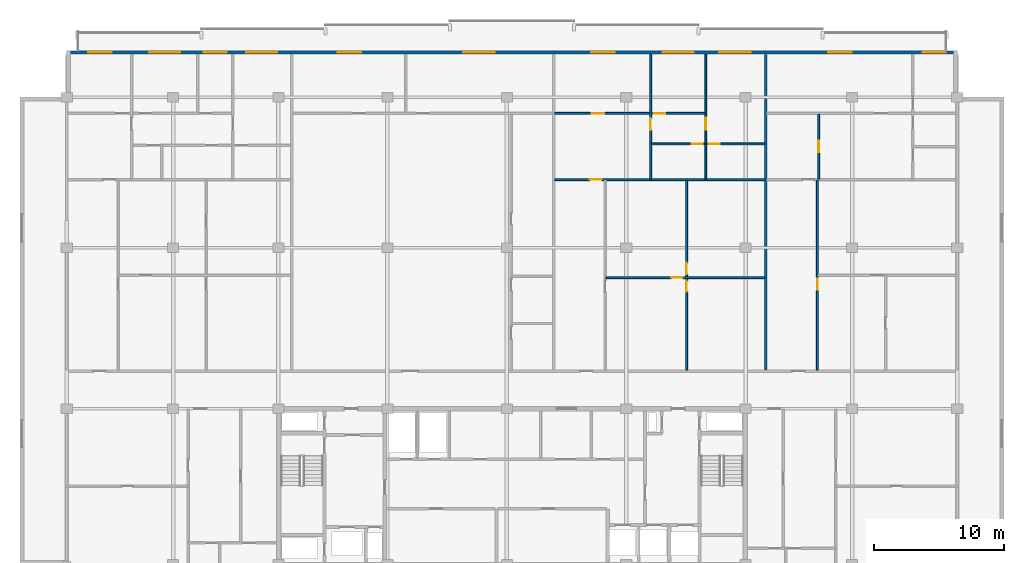
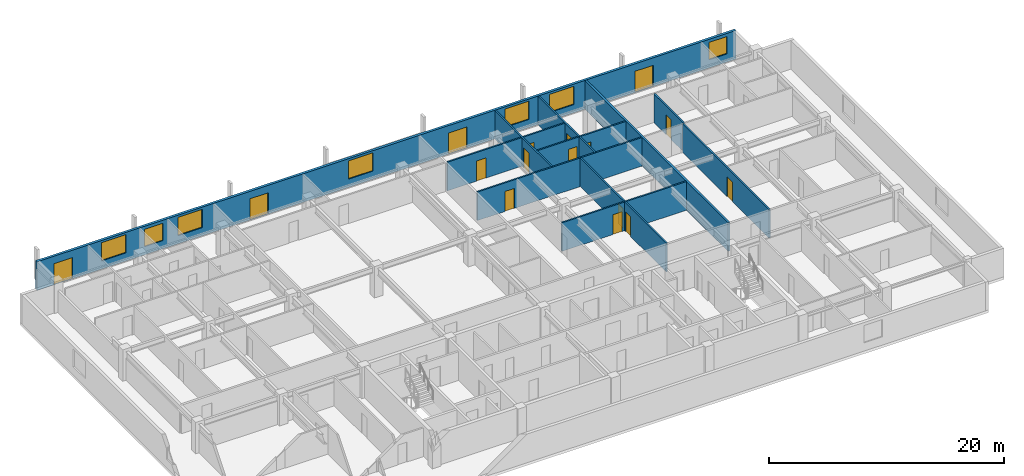
# One storey, part 8 of 11: 16 doors, 12 walls, 7 windows, 23 openings.
"""IFC4 building model written with IfcOpenShell, lengths in metres."""

from ifc_helpers import new_model, si_unit, direction, frame, frame_2d, origin, place, context, subcontext, project, spatial, rectangle, extrude, material, layer, layer_set, type_object, element, fill, save


model = new_model("IFC4")

# Units and contexts
model_context = context("Model", 3, precision=1e-05, world=origin(), true_north=direction((0.0, 1.0)))
body_context = subcontext(model_context, "Body", "Model", "MODEL_VIEW")
ifc_project = project(units=[si_unit("LENGTHUNIT", "METRE"), si_unit("AREAUNIT", "SQUARE_METRE"), si_unit("VOLUMEUNIT", "CUBIC_METRE"), si_unit("PLANEANGLEUNIT", "RADIAN"), si_unit("MASSUNIT", "GRAM", prefix="KILO")], contexts=[model_context])

# Site, building, storey
site_placement = place(None, origin())
site = spatial("IfcSite", under=ifc_project, at=site_placement, CompositionType="ELEMENT")
building_placement = place(site_placement, origin())
building = spatial("IfcBuilding", under=site, at=building_placement, Name="Korimba Cascade Residences", CompositionType="ELEMENT")
storey_placement = place(building_placement, frame((0.0, 0.0, 217.35009765625)))
storey = spatial("IfcBuildingStorey", under=building, at=storey_placement, Name="L63", CompositionType="ELEMENT", Elevation=217.35009765625)

# Wall, openings, doors, windows
ifc_material_1 = material(Name="Precast concrete C40/50", Category="concrete")
ifc_layer_1 = layer(ifc_material_1, 0.25)
ifc_layer_set_1 = layer_set([ifc_layer_1], Name="Precast concrete C40/50")
wall_type_1 = type_object("IfcWallType", Name="EW-LOG-250", PredefinedType="STANDARD", material=ifc_layer_set_1)
wall_1_placement = place(storey_placement, frame((128.39990234375, 94.64990234375, 0.0), z_axis=(0.0, 0.0, 1.0), x_axis=(-1.0, 0.0, 0.0)))
wall_1 = element("IfcWall", 1, at=wall_1_placement, inside=storey, type_object=wall_type_1, Name="L63 T1 Perimeter Stone Wall E06", PredefinedType="STANDARD", context=body_context, shape_type="SweptSolid", body=[
    extrude(rectangle(XDim=68.599853515625, YDim=0.25, at=frame_2d((34.2998046875, 0.0))), origin(), (0.0, 0.0, 1.0), 2.969970703125),
])
opening_1_placement = place(wall_1_placement, frame((59.860107421875, 0.0, 0.85009765625)))
opening_1 = element("IfcOpeningElement", 2, at=opening_1_placement, cuts=wall_1, Name="Opening W-01", PredefinedType="OPENING", context=body_context, shape_type="SweptSolid", body=[
    extrude(rectangle(XDim=2.39990234375, YDim=1.89990234375, at=frame_2d((1.199951171875, 0.949951171875))), frame((0.0, 0.135009765625, 0.0), z_axis=(0.0, -1.0, 0.0), x_axis=(1.0, 0.0, 0.0)), (0.0, 0.0, 1.0), 0.27001953125),
])
opening_2_placement = place(wall_1_placement, frame((56.26220703125, 0.0, 0.85009765625)))
opening_2 = element("IfcOpeningElement", 3, at=opening_2_placement, cuts=wall_1, Name="Opening W-02", PredefinedType="OPENING", context=body_context, shape_type="SweptSolid", body=[
    extrude(rectangle(XDim=1.800048828125, YDim=1.800048828125, at=frame_2d((0.89990234375, 0.89990234375))), frame((0.0, 0.135009765625, 0.0), z_axis=(0.0, -1.0, 0.0), x_axis=(1.0, 0.0, 0.0)), (0.0, 0.0, 1.0), 0.27001953125),
])
opening_3_placement = place(wall_1_placement, frame((65.139892578125, 0.0, 0.0)))
opening_3 = element("IfcOpeningElement", 4, at=opening_3_placement, cuts=wall_1, Name="Opening D-LG1", PredefinedType="OPENING", context=body_context, shape_type="SweptSolid", body=[
    extrude(rectangle(XDim=1.800048828125, YDim=2.199951171875, at=frame_2d((0.89990234375, 1.10009765625))), frame((0.0, 0.135009765625, 0.0), z_axis=(0.0, -1.0, 0.0), x_axis=(1.0, 0.0, 0.0)), (0.0, 0.0, 1.0), 0.27001953125),
])
opening_4_placement = place(wall_1_placement, frame((52.389404296875, 0.0, 0.85009765625)))
opening_4 = element("IfcOpeningElement", 5, at=opening_4_placement, cuts=wall_1, Name="Opening W-01", PredefinedType="OPENING", context=body_context, shape_type="SweptSolid", body=[
    extrude(rectangle(XDim=2.39990234375, YDim=1.89990234375, at=frame_2d((1.199951171875, 0.949951171875))), frame((0.0, 0.135009765625, 0.0), z_axis=(0.0, -1.0, 0.0), x_axis=(1.0, 0.0, 0.0)), (0.0, 0.0, 1.0), 0.27001953125),
])
opening_5_placement = place(wall_1_placement, frame((45.906982421875, 0.0, 0.0)))
opening_5 = element("IfcOpeningElement", 6, at=opening_5_placement, cuts=wall_1, Name="Opening D-LG1", PredefinedType="OPENING", context=body_context, shape_type="SweptSolid", body=[
    extrude(rectangle(XDim=1.800048828125, YDim=2.199951171875, at=frame_2d((0.89990234375, 1.10009765625))), frame((0.0, 0.135009765625, 0.0), z_axis=(0.0, -1.0, 0.0), x_axis=(1.0, 0.0, 0.0)), (0.0, 0.0, 1.0), 0.27001953125),
])
opening_6_placement = place(wall_1_placement, frame((35.6474609375, 0.0, 0.85009765625)))
opening_6 = element("IfcOpeningElement", 7, at=opening_6_placement, cuts=wall_1, Name="Opening W-01", PredefinedType="OPENING", context=body_context, shape_type="SweptSolid", body=[
    extrude(rectangle(XDim=2.39990234375, YDim=1.89990234375, at=frame_2d((1.199951171875, 0.949951171875))), frame((0.0, 0.135009765625, 0.0), z_axis=(0.0, -1.0, 0.0), x_axis=(1.0, 0.0, 0.0)), (0.0, 0.0, 1.0), 0.27001953125),
])
opening_7_placement = place(wall_1_placement, frame((20.297607421875, 0.0, 0.85009765625)))
opening_7 = element("IfcOpeningElement", 8, at=opening_7_placement, cuts=wall_1, Name="Opening W-01", PredefinedType="OPENING", context=body_context, shape_type="SweptSolid", body=[
    extrude(rectangle(XDim=2.39990234375, YDim=1.89990234375, at=frame_2d((1.199951171875, 0.949951171875))), frame((0.0, 0.135009765625, 0.0), z_axis=(0.0, -1.0, 0.0), x_axis=(1.0, 0.0, 0.0)), (0.0, 0.0, 1.0), 0.27001953125),
])
opening_8_placement = place(wall_1_placement, frame((26.397705078125, 0.0, 0.0)))
opening_8 = element("IfcOpeningElement", 9, at=opening_8_placement, cuts=wall_1, Name="Opening D-LG1", PredefinedType="OPENING", context=body_context, shape_type="SweptSolid", body=[
    extrude(rectangle(XDim=1.800048828125, YDim=2.199951171875, at=frame_2d((0.89990234375, 1.10009765625))), frame((0.0, 0.135009765625, 0.0), z_axis=(0.0, -1.0, 0.0), x_axis=(1.0, 0.0, 0.0)), (0.0, 0.0, 1.0), 0.27001953125),
])
opening_9_placement = place(wall_1_placement, frame((15.91943359375, 0.0, 0.85009765625)))
opening_9 = element("IfcOpeningElement", 10, at=opening_9_placement, cuts=wall_1, Name="Opening W-01", PredefinedType="OPENING", context=body_context, shape_type="SweptSolid", body=[
    extrude(rectangle(XDim=2.39990234375, YDim=1.89990234375, at=frame_2d((1.199951171875, 0.949951171875))), frame((0.0, 0.135009765625, 0.0), z_axis=(0.0, -1.0, 0.0), x_axis=(1.0, 0.0, 0.0)), (0.0, 0.0, 1.0), 0.27001953125),
])
opening_10_placement = place(wall_1_placement, frame((8.121826171875, 0.0, 0.0)))
opening_10 = element("IfcOpeningElement", 11, at=opening_10_placement, cuts=wall_1, Name="Opening D-LG1", PredefinedType="OPENING", context=body_context, shape_type="SweptSolid", body=[
    extrude(rectangle(XDim=1.800048828125, YDim=2.199951171875, at=frame_2d((0.89990234375, 1.10009765625))), frame((0.0, 0.135009765625, 0.0), z_axis=(0.0, -1.0, 0.0), x_axis=(1.0, 0.0, 0.0)), (0.0, 0.0, 1.0), 0.27001953125),
])
opening_11_placement = place(wall_1_placement, frame((0.8701171875, 0.0, 0.85009765625)))
opening_11 = element("IfcOpeningElement", 12, at=opening_11_placement, cuts=wall_1, Name="Opening W-02", PredefinedType="OPENING", context=body_context, shape_type="SweptSolid", body=[
    extrude(rectangle(XDim=1.800048828125, YDim=1.800048828125, at=frame_2d((0.89990234375, 0.89990234375))), frame((0.0, 0.135009765625, 0.0), z_axis=(0.0, -1.0, 0.0), x_axis=(1.0, 0.0, 0.0)), (0.0, 0.0, 1.0), 0.27001953125),
])
ifc_material_2 = material(Name="Glazed Aluminium Loggia Sliding Door", Category="aluminium")
door_type_1 = type_object("IfcDoorType", Name="DR-EXT-LOG", OperationType="NOTDEFINED", PredefinedType="DOOR", material=ifc_material_2)
door_1_placement = place(opening_3_placement, origin())
door_1 = element("IfcDoor", 13, at=door_1_placement, inside=storey, type_object=door_type_1, Name="L63 T1 Loggia Sliding Door 5", OperationType="SLIDING_TO_LEFT", OverallHeight=2.199951171875, OverallWidth=1.800048828125, PredefinedType="DOOR", context=body_context, shape_type="SweptSolid", body=[
    extrude(rectangle(XDim=1.800048828125, YDim=2.199951171875, at=frame_2d((0.89990234375, 1.10009765625))), frame((0.0, 0.02490234375, 0.0), z_axis=(0.0, -1.0, 0.0), x_axis=(1.0, 0.0, 0.0)), (0.0, 0.0, 1.0), 0.050048828125),
])
fill(opening_3, door_1)
door_2_placement = place(opening_5_placement, origin())
door_2 = element("IfcDoor", 14, at=door_2_placement, inside=storey, type_object=door_type_1, Name="L63 T1 Loggia Sliding Door 7", OperationType="SLIDING_TO_LEFT", OverallHeight=2.199951171875, OverallWidth=1.800048828125, PredefinedType="DOOR", context=body_context, shape_type="SweptSolid", body=[
    extrude(rectangle(XDim=1.800048828125, YDim=2.199951171875, at=frame_2d((0.89990234375, 1.10009765625))), frame((0.0, 0.02490234375, 0.0), z_axis=(0.0, -1.0, 0.0), x_axis=(1.0, 0.0, 0.0)), (0.0, 0.0, 1.0), 0.050048828125),
])
fill(opening_5, door_2)
door_3_placement = place(opening_8_placement, origin())
door_3 = element("IfcDoor", 15, at=door_3_placement, inside=storey, type_object=door_type_1, Name="L63 T1 Loggia Sliding Door 10", OperationType="SLIDING_TO_LEFT", OverallHeight=2.199951171875, OverallWidth=1.800048828125, PredefinedType="DOOR", context=body_context, shape_type="SweptSolid", body=[
    extrude(rectangle(XDim=1.800048828125, YDim=2.199951171875, at=frame_2d((0.89990234375, 1.10009765625))), frame((0.0, 0.02490234375, 0.0), z_axis=(0.0, -1.0, 0.0), x_axis=(1.0, 0.0, 0.0)), (0.0, 0.0, 1.0), 0.050048828125),
])
fill(opening_8, door_3)
door_4_placement = place(opening_10_placement, origin())
door_4 = element("IfcDoor", 16, at=door_4_placement, inside=storey, type_object=door_type_1, Name="L63 T1 Loggia Sliding Door 12", OperationType="SLIDING_TO_LEFT", OverallHeight=2.199951171875, OverallWidth=1.800048828125, PredefinedType="DOOR", context=body_context, shape_type="SweptSolid", body=[
    extrude(rectangle(XDim=1.800048828125, YDim=2.199951171875, at=frame_2d((0.89990234375, 1.10009765625))), frame((0.0, 0.02490234375, 0.0), z_axis=(0.0, -1.0, 0.0), x_axis=(1.0, 0.0, 0.0)), (0.0, 0.0, 1.0), 0.050048828125),
])
fill(opening_10, door_4)
ifc_material_3 = material(Name="Double-Glazed Aluminium Window", Category="aluminium")
window_type_1 = type_object("IfcWindowType", Name="WIN-BED-1800", PartitioningType="SINGLE_PANEL", PredefinedType="WINDOW", material=ifc_material_3)
window_1_placement = place(opening_2_placement, origin())
window_1 = element("IfcWindow", 17, at=window_1_placement, inside=storey, type_object=window_type_1, Name="L63 T1 North Facade Window 4", OverallHeight=1.800048828125, OverallWidth=1.800048828125, PartitioningType="SINGLE_PANEL", PredefinedType="WINDOW", context=body_context, shape_type="SweptSolid", body=[
    extrude(rectangle(XDim=1.800048828125, YDim=1.800048828125, at=frame_2d((0.89990234375, 0.89990234375))), frame((0.0, 0.030029296875, 0.0), z_axis=(0.0, -1.0, 0.0), x_axis=(1.0, 0.0, 0.0)), (0.0, 0.0, 1.0), 0.06005859375),
])
fill(opening_2, window_1)
window_2_placement = place(opening_11_placement, origin())
window_2 = element("IfcWindow", 18, at=window_2_placement, inside=storey, type_object=window_type_1, Name="L63 T1 North Facade Window 13", OverallHeight=1.800048828125, OverallWidth=1.800048828125, PartitioningType="SINGLE_PANEL", PredefinedType="WINDOW", context=body_context, shape_type="SweptSolid", body=[
    extrude(rectangle(XDim=1.800048828125, YDim=1.800048828125, at=frame_2d((0.89990234375, 0.89990234375))), frame((0.0, 0.030029296875, 0.0), z_axis=(0.0, -1.0, 0.0), x_axis=(1.0, 0.0, 0.0)), (0.0, 0.0, 1.0), 0.06005859375),
])
fill(opening_11, window_2)
window_type_2 = type_object("IfcWindowType", Name="WIN-RES-2400", PartitioningType="DOUBLE_PANEL_VERTICAL", PredefinedType="WINDOW", material=ifc_material_3)
window_3_placement = place(opening_1_placement, origin())
window_3 = element("IfcWindow", 19, at=window_3_placement, inside=storey, type_object=window_type_2, Name="L63 T1 North Facade Window 3", OverallHeight=1.89990234375, OverallWidth=2.39990234375, PartitioningType="DOUBLE_PANEL_VERTICAL", PredefinedType="WINDOW", context=body_context, shape_type="SweptSolid", body=[
    extrude(rectangle(XDim=2.39990234375, YDim=1.89990234375, at=frame_2d((1.199951171875, 0.949951171875))), frame((0.0, 0.030029296875, 0.0), z_axis=(0.0, -1.0, 0.0), x_axis=(1.0, 0.0, 0.0)), (0.0, 0.0, 1.0), 0.06005859375),
])
fill(opening_1, window_3)
window_4_placement = place(opening_4_placement, origin())
window_4 = element("IfcWindow", 20, at=window_4_placement, inside=storey, type_object=window_type_2, Name="L63 T1 North Facade Window 6", OverallHeight=1.89990234375, OverallWidth=2.39990234375, PartitioningType="DOUBLE_PANEL_VERTICAL", PredefinedType="WINDOW", context=body_context, shape_type="SweptSolid", body=[
    extrude(rectangle(XDim=2.39990234375, YDim=1.89990234375, at=frame_2d((1.199951171875, 0.949951171875))), frame((0.0, 0.030029296875, 0.0), z_axis=(0.0, -1.0, 0.0), x_axis=(1.0, 0.0, 0.0)), (0.0, 0.0, 1.0), 0.06005859375),
])
fill(opening_4, window_4)
window_5_placement = place(opening_6_placement, origin())
window_5 = element("IfcWindow", 21, at=window_5_placement, inside=storey, type_object=window_type_2, Name="L63 T1 North Facade Window 8", OverallHeight=1.89990234375, OverallWidth=2.39990234375, PartitioningType="DOUBLE_PANEL_VERTICAL", PredefinedType="WINDOW", context=body_context, shape_type="SweptSolid", body=[
    extrude(rectangle(XDim=2.39990234375, YDim=1.89990234375, at=frame_2d((1.199951171875, 0.949951171875))), frame((0.0, 0.030029296875, 0.0), z_axis=(0.0, -1.0, 0.0), x_axis=(1.0, 0.0, 0.0)), (0.0, 0.0, 1.0), 0.06005859375),
])
fill(opening_6, window_5)
window_6_placement = place(opening_7_placement, origin())
window_6 = element("IfcWindow", 22, at=window_6_placement, inside=storey, type_object=window_type_2, Name="L63 T1 North Facade Window 9", OverallHeight=1.89990234375, OverallWidth=2.39990234375, PartitioningType="DOUBLE_PANEL_VERTICAL", PredefinedType="WINDOW", context=body_context, shape_type="SweptSolid", body=[
    extrude(rectangle(XDim=2.39990234375, YDim=1.89990234375, at=frame_2d((1.199951171875, 0.949951171875))), frame((0.0, 0.030029296875, 0.0), z_axis=(0.0, -1.0, 0.0), x_axis=(1.0, 0.0, 0.0)), (0.0, 0.0, 1.0), 0.06005859375),
])
fill(opening_7, window_6)
window_7_placement = place(opening_9_placement, origin())
window_7 = element("IfcWindow", 23, at=window_7_placement, inside=storey, type_object=window_type_2, Name="L63 T1 North Facade Window 11", OverallHeight=1.89990234375, OverallWidth=2.39990234375, PartitioningType="DOUBLE_PANEL_VERTICAL", PredefinedType="WINDOW", context=body_context, shape_type="SweptSolid", body=[
    extrude(rectangle(XDim=2.39990234375, YDim=1.89990234375, at=frame_2d((1.199951171875, 0.949951171875))), frame((0.0, 0.030029296875, 0.0), z_axis=(0.0, -1.0, 0.0), x_axis=(1.0, 0.0, 0.0)), (0.0, 0.0, 1.0), 0.06005859375),
])
fill(opening_9, window_7)

# Wall
ifc_layer_2 = layer(ifc_material_1, 0.199951171875)
ifc_layer_set_2 = layer_set([ifc_layer_2], Name="Precast concrete C40/50")
wall_type_2 = type_object("IfcWallType", Name="WAL-IT-200", PredefinedType="PARTITIONING", material=ifc_layer_set_2)
wall_2_placement = place(storey_placement, frame((113.65625, 70.179931640625, 0.0), z_axis=(0.0, 0.0, 1.0), x_axis=(0.0, 1.0, 0.0)))
element("IfcWall", 24, at=wall_2_placement, inside=storey, type_object=wall_type_2, Name="L63 Partition Wall WAL-L63-T1-DEM-3", PredefinedType="PARTITIONING", context=body_context, shape_type="SweptSolid", body=[
    extrude(rectangle(XDim=24.320068359375, YDim=0.199951171875, at=frame_2d((12.16015625, 0.0))), origin(), (0.0, 0.0, 1.0), 2.969970703125),
])

# Wall, openings, doors
ifc_material_4 = material(Name="Insulated Acoustic Stud Partition", Category="gypsum")
ifc_layer_3 = layer(ifc_material_4, 0.14990234375)
ifc_layer_set_3 = layer_set([ifc_layer_3], Name="Insulated Acoustic Stud Partition")
wall_type_3 = type_object("IfcWallType", Name="WAL-PART-150", PredefinedType="PARTITIONING", material=ifc_layer_set_3)
wall_3_placement = place(storey_placement, frame((107.555419921875, 70.159912109375, 0.0), z_axis=(0.0, 0.0, 1.0), x_axis=(0.0, 1.0, 0.0)))
wall_3 = element("IfcWall", 25, at=wall_3_placement, inside=storey, type_object=wall_type_3, Name="L63 Partition Wall WAL-L63-T1-U03-FMV", PredefinedType="PARTITIONING", context=body_context, shape_type="SweptSolid", body=[
    extrude(rectangle(XDim=14.650146484375, YDim=0.14990234375, at=frame_2d((7.3251953125, 0.0))), origin(), (0.0, 0.0, 1.0), 2.969970703125),
])
opening_12_placement = place(wall_3_placement, frame((6.054931640625, 0.0, 0.0)))
opening_12 = element("IfcOpeningElement", 26, at=opening_12_placement, cuts=wall_3, Name="Opening D-BT1", PredefinedType="OPENING", context=body_context, shape_type="SweptSolid", body=[
    extrude(rectangle(XDim=0.840087890625, YDim=2.0400390625, at=frame_2d((0.419921875, 1.02001953125))), frame((0.0, 0.0849609375, 0.0), z_axis=(0.0, -1.0, 0.0), x_axis=(1.0, 0.0, 0.0)), (0.0, 0.0, 1.0), 0.169921875),
])
opening_13_placement = place(wall_3_placement, frame((7.39501953125, 0.0, 0.0)))
opening_13 = element("IfcOpeningElement", 27, at=opening_13_placement, cuts=wall_3, Name="Opening D-IN2", PredefinedType="OPENING", context=body_context, shape_type="SweptSolid", body=[
    extrude(rectangle(XDim=0.8798828125, YDim=2.06005859375, at=frame_2d((0.43994140625, 1.030029296875))), frame((0.0, 0.0849609375, 0.0), z_axis=(0.0, -1.0, 0.0), x_axis=(1.0, 0.0, 0.0)), (0.0, 0.0, 1.0), 0.169921875),
])
ifc_material_5 = material(Name="Moisture-Resistant Bathroom Timber Door", Category="wood")
door_type_2 = type_object("IfcDoorType", Name="DR-INT-850", OperationType="NOTDEFINED", PredefinedType="DOOR", material=ifc_material_5)
door_5_placement = place(opening_12_placement, origin())
door_5 = element("IfcDoor", 28, at=door_5_placement, inside=storey, type_object=door_type_2, Name="L63-T1-U03 Wardrobe Door", OperationType="SINGLE_SWING_RIGHT", OverallHeight=2.0400390625, OverallWidth=0.840087890625, PredefinedType="DOOR", context=body_context, shape_type="SweptSolid", body=[
    extrude(rectangle(XDim=0.840087890625, YDim=2.0400390625, at=frame_2d((0.419921875, 1.02001953125))), frame((0.0, 0.02490234375, 0.0), z_axis=(0.0, -1.0, 0.0), x_axis=(1.0, 0.0, 0.0)), (0.0, 0.0, 1.0), 0.050048828125),
])
fill(opening_12, door_5)
ifc_material_6 = material(Name="Acoustic Timber Bedroom Door", Category="wood")
door_type_3 = type_object("IfcDoorType", Name="DR-INT-880", OperationType="NOTDEFINED", PredefinedType="DOOR", material=ifc_material_6)
door_6_placement = place(opening_13_placement, origin())
door_6 = element("IfcDoor", 29, at=door_6_placement, inside=storey, type_object=door_type_3, Name="L63-T1-U03 Music Lounge Door", OperationType="SINGLE_SWING_LEFT", OverallHeight=2.06005859375, OverallWidth=0.8798828125, PredefinedType="DOOR", context=body_context, shape_type="SweptSolid", body=[
    extrude(rectangle(XDim=0.8798828125, YDim=2.06005859375, at=frame_2d((0.43994140625, 1.030029296875))), frame((0.0, 0.02490234375, 0.0), z_axis=(0.0, -1.0, 0.0), x_axis=(1.0, 0.0, 0.0)), (0.0, 0.0, 1.0), 0.050048828125),
])
fill(opening_13, door_6)

# Wall, opening, door
wall_4_placement = place(storey_placement, frame((101.334716796875, 77.304931640625, 0.0), z_axis=(0.0, 0.0, 1.0), x_axis=(1.0, 0.0, 0.0)))
wall_4 = element("IfcWall", 30, at=wall_4_placement, inside=storey, type_object=wall_type_3, Name="L63 Partition Wall WAL-L63-T1-U03-FMH", PredefinedType="PARTITIONING", context=body_context, shape_type="SweptSolid", body=[
    extrude(rectangle(XDim=12.241455078125, YDim=0.14990234375, at=frame_2d((6.12060546875, 0.0))), origin(), (0.0, 0.0, 1.0), 2.969970703125),
])
opening_14_placement = place(wall_4_placement, frame((5.025390625, 0.0, 0.0)))
opening_14 = element("IfcOpeningElement", 31, at=opening_14_placement, cuts=wall_4, Name="Opening D-IN2", PredefinedType="OPENING", context=body_context, shape_type="SweptSolid", body=[
    extrude(rectangle(XDim=0.8798828125, YDim=2.06005859375, at=frame_2d((0.43994140625, 1.030029296875))), frame((0.0, 0.0849609375, 0.0), z_axis=(0.0, -1.0, 0.0), x_axis=(1.0, 0.0, 0.0)), (0.0, 0.0, 1.0), 0.169921875),
])
door_7_placement = place(opening_14_placement, origin())
door_7 = element("IfcDoor", 32, at=door_7_placement, inside=storey, type_object=door_type_3, Name="L63-T1-U03 Library Salon Door", OperationType="SINGLE_SWING_RIGHT", OverallHeight=2.06005859375, OverallWidth=0.8798828125, PredefinedType="DOOR", context=body_context, shape_type="SweptSolid", body=[
    extrude(rectangle(XDim=0.8798828125, YDim=2.06005859375, at=frame_2d((0.43994140625, 1.030029296875))), frame((0.0, 0.02490234375, 0.0), z_axis=(0.0, -1.0, 0.0), x_axis=(1.0, 0.0, 0.0)), (0.0, 0.0, 1.0), 0.050048828125),
])
fill(opening_14, door_7)

wall_5_placement = place(storey_placement, frame((104.780029296875, 84.889892578125, 0.0), z_axis=(0.0, 0.0, 1.0), x_axis=(0.0, 1.0, 0.0)))
wall_5 = element("IfcWall", 33, at=wall_5_placement, inside=storey, type_object=wall_type_3, Name="L63 Partition Wall WAL-L63-T1-U03-V1", PredefinedType="PARTITIONING", context=body_context, shape_type="SweptSolid", body=[
    extrude(rectangle(XDim=9.610107421875, YDim=0.14990234375, at=frame_2d((4.80517578125, 0.0))), origin(), (0.0, 0.0, 1.0), 2.969970703125),
])
opening_15_placement = place(wall_5_placement, frame((3.770263671875, 0.0, 0.0)))
opening_15 = element("IfcOpeningElement", 34, at=opening_15_placement, cuts=wall_5, Name="Opening D-IN1", PredefinedType="OPENING", context=body_context, shape_type="SweptSolid", body=[
    extrude(rectangle(XDim=0.919921875, YDim=2.080078125, at=frame_2d((0.4599609375, 1.0400390625))), frame((0.0, 0.0849609375, 0.0), z_axis=(0.0, -1.0, 0.0), x_axis=(1.0, 0.0, 0.0)), (0.0, 0.0, 1.0), 0.169921875),
])
ifc_material_7 = material(Name="Acoustic Timber Living Door", Category="wood")
door_type_4 = type_object("IfcDoorType", Name="DR-INT-920", OperationType="NOTDEFINED", PredefinedType="DOOR", material=ifc_material_7)
door_8_placement = place(opening_15_placement, origin())
door_8 = element("IfcDoor", 35, at=door_8_placement, inside=storey, type_object=door_type_4, Name="L63-T1-U03 Hallway Door", OperationType="SINGLE_SWING_RIGHT", OverallHeight=2.080078125, OverallWidth=0.919921875, PredefinedType="DOOR", context=body_context, shape_type="SweptSolid", body=[
    extrude(rectangle(XDim=0.919921875, YDim=2.080078125, at=frame_2d((0.4599609375, 1.0400390625))), frame((0.0, 0.02490234375, 0.0), z_axis=(0.0, -1.0, 0.0), x_axis=(1.0, 0.0, 0.0)), (0.0, 0.0, 1.0), 0.050048828125),
])
fill(opening_15, door_8)

# Wall
wall_6_placement = place(storey_placement, frame((109.02490234375, 84.889892578125, 0.0), z_axis=(0.0, 0.0, 1.0), x_axis=(0.0, 1.0, 0.0)))
element("IfcWall", 36, at=wall_6_placement, inside=storey, type_object=wall_type_3, Name="L63 Partition Wall WAL-L63-T1-U03-VBATH", PredefinedType="PARTITIONING", context=body_context, shape_type="SweptSolid", body=[
    extrude(rectangle(XDim=2.690185546875, YDim=0.14990234375, at=frame_2d((1.34521484375, 0.0))), origin(), (0.0, 0.0, 1.0), 2.969970703125),
])

# Wall, opening, door
wall_7_placement = place(storey_placement, frame((109.02490234375, 87.6201171875, 0.0), z_axis=(0.0, 0.0, 1.0), x_axis=(0.0, 1.0, 0.0)))
wall_7 = element("IfcWall", 37, at=wall_7_placement, inside=storey, type_object=wall_type_3, Name="L63 Partition Wall WAL-L63-T1-U03-V2FULL", PredefinedType="PARTITIONING", context=body_context, shape_type="SweptSolid", body=[
    extrude(rectangle(XDim=6.8798828125, YDim=0.14990234375, at=frame_2d((3.43994140625, 0.0))), origin(), (0.0, 0.0, 1.0), 2.969970703125),
])
opening_16_placement = place(wall_7_placement, frame((1.090087890625, 0.0, 0.0)))
opening_16 = element("IfcOpeningElement", 38, at=opening_16_placement, cuts=wall_7, Name="Opening D-IN1", PredefinedType="OPENING", context=body_context, shape_type="SweptSolid", body=[
    extrude(rectangle(XDim=0.919921875, YDim=2.080078125, at=frame_2d((0.4599609375, 1.0400390625))), frame((0.0, 0.0849609375, 0.0), z_axis=(0.0, -1.0, 0.0), x_axis=(1.0, 0.0, 0.0)), (0.0, 0.0, 1.0), 0.169921875),
])
door_9_placement = place(opening_16_placement, origin())
door_9 = element("IfcDoor", 39, at=door_9_placement, inside=storey, type_object=door_type_4, Name="L63-T1-U03 Master Bedroom Door", OperationType="SINGLE_SWING_LEFT", OverallHeight=2.080078125, OverallWidth=0.919921875, PredefinedType="DOOR", context=body_context, shape_type="SweptSolid", body=[
    extrude(rectangle(XDim=0.919921875, YDim=2.080078125, at=frame_2d((0.4599609375, 1.0400390625))), frame((0.0, 0.02490234375, 0.0), z_axis=(0.0, -1.0, 0.0), x_axis=(1.0, 0.0, 0.0)), (0.0, 0.0, 1.0), 0.050048828125),
])
fill(opening_16, door_9)

# Wall, openings, doors
wall_8_placement = place(storey_placement, frame((104.820068359375, 87.60009765625, 0.0), z_axis=(0.0, 0.0, 1.0), x_axis=(1.0, 0.0, 0.0)))
wall_8 = element("IfcWall", 40, at=wall_8_placement, inside=storey, type_object=wall_type_3, Name="L63 Partition Wall WAL-L63-T1-U03-HWALL", PredefinedType="PARTITIONING", context=body_context, shape_type="SweptSolid", body=[
    extrude(rectangle(XDim=8.756103515625, YDim=0.14990234375, at=frame_2d((4.3779296875, 0.0))), origin(), (0.0, 0.0, 1.0), 2.969970703125),
])
opening_17_placement = place(wall_8_placement, frame((3.114990234375, 0.0, 0.0)))
opening_17 = element("IfcOpeningElement", 41, at=opening_17_placement, cuts=wall_8, Name="Opening D-BT1", PredefinedType="OPENING", context=body_context, shape_type="SweptSolid", body=[
    extrude(rectangle(XDim=0.840087890625, YDim=2.0400390625, at=frame_2d((0.419921875, 1.02001953125))), frame((0.0, 0.0849609375, 0.0), z_axis=(0.0, -1.0, 0.0), x_axis=(1.0, 0.0, 0.0)), (0.0, 0.0, 1.0), 0.169921875),
])
opening_18_placement = place(wall_8_placement, frame((4.455078125, 0.0, 0.0)))
opening_18 = element("IfcOpeningElement", 42, at=opening_18_placement, cuts=wall_8, Name="Opening D-BT1", PredefinedType="OPENING", context=body_context, shape_type="SweptSolid", body=[
    extrude(rectangle(XDim=0.840087890625, YDim=2.0400390625, at=frame_2d((0.419921875, 1.02001953125))), frame((0.0, 0.0849609375, 0.0), z_axis=(0.0, -1.0, 0.0), x_axis=(1.0, 0.0, 0.0)), (0.0, 0.0, 1.0), 0.169921875),
])
door_10_placement = place(opening_17_placement, origin())
door_10 = element("IfcDoor", 43, at=door_10_placement, inside=storey, type_object=door_type_2, Name="L63-T1-U03 Family Bathroom Door", OperationType="SINGLE_SWING_RIGHT", OverallHeight=2.0400390625, OverallWidth=0.840087890625, PredefinedType="DOOR", context=body_context, shape_type="SweptSolid", body=[
    extrude(rectangle(XDim=0.840087890625, YDim=2.0400390625, at=frame_2d((0.419921875, 1.02001953125))), frame((0.0, 0.02490234375, 0.0), z_axis=(0.0, -1.0, 0.0), x_axis=(1.0, 0.0, 0.0)), (0.0, 0.0, 1.0), 0.050048828125),
])
fill(opening_17, door_10)
door_11_placement = place(opening_18_placement, origin())
door_11 = element("IfcDoor", 44, at=door_11_placement, inside=storey, type_object=door_type_2, Name="L63-T1-U03 En-Suite Door", OperationType="SINGLE_SWING_LEFT", OverallHeight=2.0400390625, OverallWidth=0.840087890625, PredefinedType="DOOR", context=body_context, shape_type="SweptSolid", body=[
    extrude(rectangle(XDim=0.840087890625, YDim=2.0400390625, at=frame_2d((0.419921875, 1.02001953125))), frame((0.0, 0.02490234375, 0.0), z_axis=(0.0, -1.0, 0.0), x_axis=(1.0, 0.0, 0.0)), (0.0, 0.0, 1.0), 0.050048828125),
])
fill(opening_18, door_11)

# Wall, opening, door
wall_9_placement = place(storey_placement, frame((97.384765625, 84.85009765625, 0.0), z_axis=(0.0, 0.0, 1.0), x_axis=(1.0, 0.0, 0.0)))
wall_9 = element("IfcWall", 45, at=wall_9_placement, inside=storey, type_object=wall_type_3, Name="L63 Partition Wall WAL-L63-T1-U03-MW", PredefinedType="PARTITIONING", context=body_context, shape_type="SweptSolid", body=[
    extrude(rectangle(XDim=16.19140625, YDim=0.14990234375, at=frame_2d((8.095703125, 0.0))), origin(), (0.0, 0.0, 1.0), 2.969970703125),
])
opening_19_placement = place(wall_9_placement, frame((2.719970703125, 0.0, 0.0)))
opening_19 = element("IfcOpeningElement", 46, at=opening_19_placement, cuts=wall_9, Name="Opening D-IN1", PredefinedType="OPENING", context=body_context, shape_type="SweptSolid", body=[
    extrude(rectangle(XDim=0.919921875, YDim=2.080078125, at=frame_2d((0.4599609375, 1.0400390625))), frame((0.0, 0.0849609375, 0.0), z_axis=(0.0, -1.0, 0.0), x_axis=(1.0, 0.0, 0.0)), (0.0, 0.0, 1.0), 0.169921875),
])
door_12_placement = place(opening_19_placement, origin())
door_12 = element("IfcDoor", 47, at=door_12_placement, inside=storey, type_object=door_type_4, Name="L63-T1-U03 Kitchen Door", OperationType="SINGLE_SWING_RIGHT", OverallHeight=2.080078125, OverallWidth=0.919921875, PredefinedType="DOOR", context=body_context, shape_type="SweptSolid", body=[
    extrude(rectangle(XDim=0.919921875, YDim=2.080078125, at=frame_2d((0.4599609375, 1.0400390625))), frame((0.0, 0.02490234375, 0.0), z_axis=(0.0, -1.0, 0.0), x_axis=(1.0, 0.0, 0.0)), (0.0, 0.0, 1.0), 0.050048828125),
])
fill(opening_19, door_12)

# Wall, openings, doors
wall_10_placement = place(storey_placement, frame((97.384765625, 89.949951171875, 0.0), z_axis=(0.0, 0.0, 1.0), x_axis=(1.0, 0.0, 0.0)))
wall_10 = element("IfcWall", 48, at=wall_10_placement, inside=storey, type_object=wall_type_3, Name="L63 Partition Wall WAL-L63-T1-U03-HZ", PredefinedType="PARTITIONING", context=body_context, shape_type="SweptSolid", body=[
    extrude(rectangle(XDim=11.64013671875, YDim=0.14990234375, at=frame_2d((5.820068359375, 0.0))), origin(), (0.0, 0.0, 1.0), 2.969970703125),
])
opening_20_placement = place(wall_10_placement, frame((2.870361328125, 0.0, 0.0)))
opening_20 = element("IfcOpeningElement", 49, at=opening_20_placement, cuts=wall_10, Name="Opening D-IN0", PredefinedType="OPENING", context=body_context, shape_type="SweptSolid", body=[
    extrude(rectangle(XDim=0.93994140625, YDim=2.10009765625, at=frame_2d((0.469970703125, 1.050048828125))), frame((0.0, 0.0849609375, 0.0), z_axis=(0.0, -1.0, 0.0), x_axis=(1.0, 0.0, 0.0)), (0.0, 0.0, 1.0), 0.169921875),
])
opening_21_placement = place(wall_10_placement, frame((7.645263671875, 0.0, 0.0)))
opening_21 = element("IfcOpeningElement", 50, at=opening_21_placement, cuts=wall_10, Name="Opening D-IN2", PredefinedType="OPENING", context=body_context, shape_type="SweptSolid", body=[
    extrude(rectangle(XDim=0.8798828125, YDim=2.06005859375, at=frame_2d((0.43994140625, 1.030029296875))), frame((0.0, 0.0849609375, 0.0), z_axis=(0.0, -1.0, 0.0), x_axis=(1.0, 0.0, 0.0)), (0.0, 0.0, 1.0), 0.169921875),
])
door_13_placement = place(opening_21_placement, origin())
door_13 = element("IfcDoor", 51, at=door_13_placement, inside=storey, type_object=door_type_3, Name="L63-T1-U03 Bedroom 2 Door", OperationType="SINGLE_SWING_RIGHT", OverallHeight=2.06005859375, OverallWidth=0.8798828125, PredefinedType="DOOR", context=body_context, shape_type="SweptSolid", body=[
    extrude(rectangle(XDim=0.8798828125, YDim=2.06005859375, at=frame_2d((0.43994140625, 1.030029296875))), frame((0.0, 0.02490234375, 0.0), z_axis=(0.0, -1.0, 0.0), x_axis=(1.0, 0.0, 0.0)), (0.0, 0.0, 1.0), 0.050048828125),
])
fill(opening_21, door_13)
ifc_material_8 = material(Name="Acoustic Timber Living Archway Door", Category="wood")
door_type_5 = type_object("IfcDoorType", Name="DR-INT-950", OperationType="NOTDEFINED", PredefinedType="DOOR", material=ifc_material_8)
door_14_placement = place(opening_20_placement, origin())
door_14 = element("IfcDoor", 52, at=door_14_placement, inside=storey, type_object=door_type_5, Name="L63-T1-U03 Living Room Door", OperationType="SINGLE_SWING_LEFT", OverallHeight=2.10009765625, OverallWidth=0.93994140625, PredefinedType="DOOR", context=body_context, shape_type="SweptSolid", body=[
    extrude(rectangle(XDim=0.93994140625, YDim=2.10009765625, at=frame_2d((0.469970703125, 1.050048828125))), frame((0.0, 0.02490234375, 0.0), z_axis=(0.0, -1.0, 0.0), x_axis=(1.0, 0.0, 0.0)), (0.0, 0.0, 1.0), 0.050048828125),
])
fill(opening_20, door_14)

# Wall, opening, door
wall_11_placement = place(storey_placement, frame((117.626220703125, 70.159912109375, 0.0), z_axis=(0.0, 0.0, 1.0), x_axis=(0.0, 1.0, 0.0)))
wall_11 = element("IfcWall", 53, at=wall_11_placement, inside=storey, type_object=wall_type_3, Name="L63 Partition Wall WAL-L63-T1-U04-FV", PredefinedType="PARTITIONING", context=body_context, shape_type="SweptSolid", body=[
    extrude(rectangle(XDim=14.650146484375, YDim=0.14990234375, at=frame_2d((7.3251953125, 0.0))), origin(), (0.0, 0.0, 1.0), 2.969970703125),
])
opening_22_placement = place(wall_11_placement, frame((6.195068359375, 0.0, 0.0)))
opening_22 = element("IfcOpeningElement", 54, at=opening_22_placement, cuts=wall_11, Name="Opening D-IN2", PredefinedType="OPENING", context=body_context, shape_type="SweptSolid", body=[
    extrude(rectangle(XDim=0.8798828125, YDim=2.06005859375, at=frame_2d((0.43994140625, 1.030029296875))), frame((0.0, 0.0849609375, 0.0), z_axis=(0.0, -1.0, 0.0), x_axis=(1.0, 0.0, 0.0)), (0.0, 0.0, 1.0), 0.169921875),
])
door_15_placement = place(opening_22_placement, origin())
door_15 = element("IfcDoor", 55, at=door_15_placement, inside=storey, type_object=door_type_3, Name="L63-T1-U04 Media Lounge Door", OperationType="SINGLE_SWING_LEFT", OverallHeight=2.06005859375, OverallWidth=0.8798828125, PredefinedType="DOOR", context=body_context, shape_type="SweptSolid", body=[
    extrude(rectangle(XDim=0.8798828125, YDim=2.06005859375, at=frame_2d((0.43994140625, 1.030029296875))), frame((0.0, 0.02490234375, 0.0), z_axis=(0.0, -1.0, 0.0), x_axis=(1.0, 0.0, 0.0)), (0.0, 0.0, 1.0), 0.050048828125),
])
fill(opening_22, door_15)

wall_12_placement = place(storey_placement, frame((117.726318359375, 84.889892578125, 0.0), z_axis=(0.0, 0.0, 1.0), x_axis=(0.0, 1.0, 0.0)))
wall_12 = element("IfcWall", 56, at=wall_12_placement, inside=storey, type_object=wall_type_3, Name="L63 Partition Wall WAL-L63-T1-U04-VDIN", PredefinedType="PARTITIONING", context=body_context, shape_type="SweptSolid", body=[
    extrude(rectangle(XDim=5.0, YDim=0.14990234375, at=frame_2d((2.5, 0.0))), origin(), (0.0, 0.0, 1.0), 2.969970703125),
])
opening_23_placement = place(wall_12_placement, frame((2.06005859375, 0.0, 0.0)))
opening_23 = element("IfcOpeningElement", 57, at=opening_23_placement, cuts=wall_12, Name="Opening D-IN2", PredefinedType="OPENING", context=body_context, shape_type="SweptSolid", body=[
    extrude(rectangle(XDim=0.8798828125, YDim=2.06005859375, at=frame_2d((0.43994140625, 1.030029296875))), frame((0.0, 0.0849609375, 0.0), z_axis=(0.0, -1.0, 0.0), x_axis=(1.0, 0.0, 0.0)), (0.0, 0.0, 1.0), 0.169921875),
])
door_16_placement = place(opening_23_placement, origin())
door_16 = element("IfcDoor", 58, at=door_16_placement, inside=storey, type_object=door_type_3, Name="L63-T1-U04 Dining Room Door", OperationType="SINGLE_SWING_RIGHT", OverallHeight=2.06005859375, OverallWidth=0.8798828125, PredefinedType="DOOR", context=body_context, shape_type="SweptSolid", body=[
    extrude(rectangle(XDim=0.8798828125, YDim=2.06005859375, at=frame_2d((0.43994140625, 1.030029296875))), frame((0.0, 0.02490234375, 0.0), z_axis=(0.0, -1.0, 0.0), x_axis=(1.0, 0.0, 0.0)), (0.0, 0.0, 1.0), 0.050048828125),
])
fill(opening_23, door_16)

save(model, "model.ifc")
